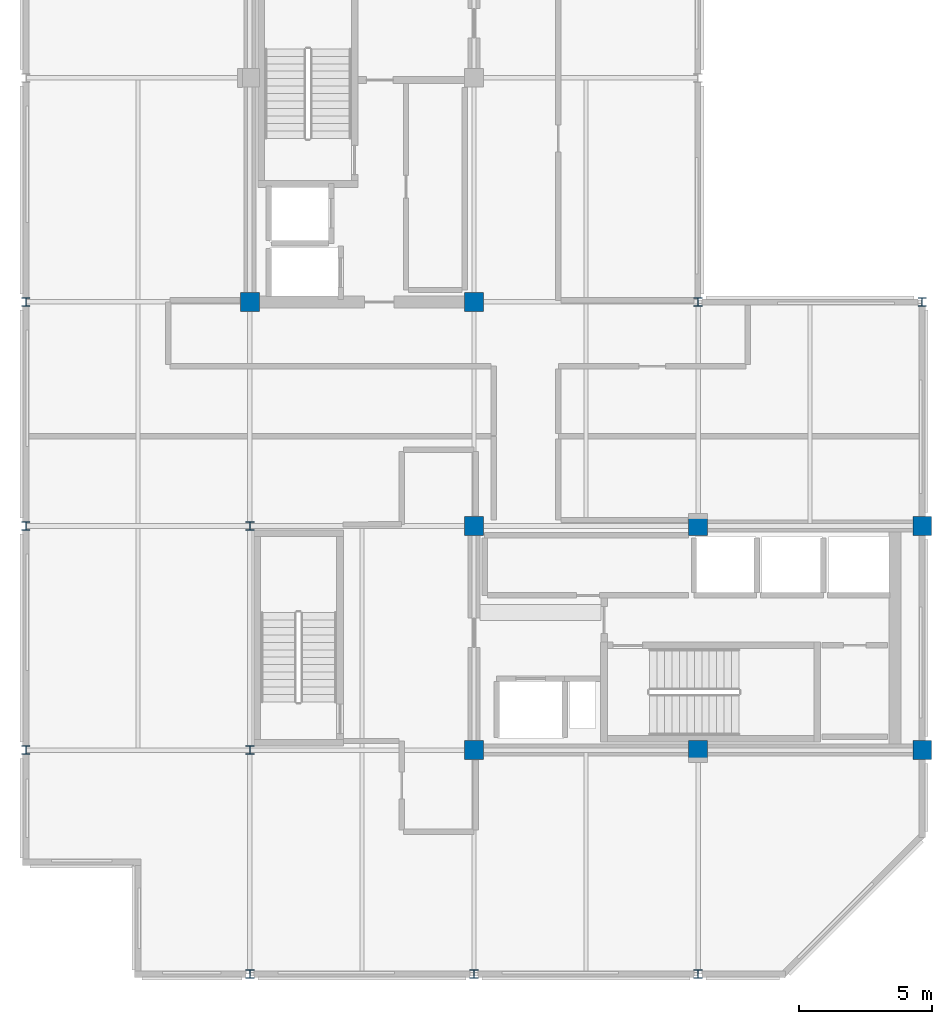
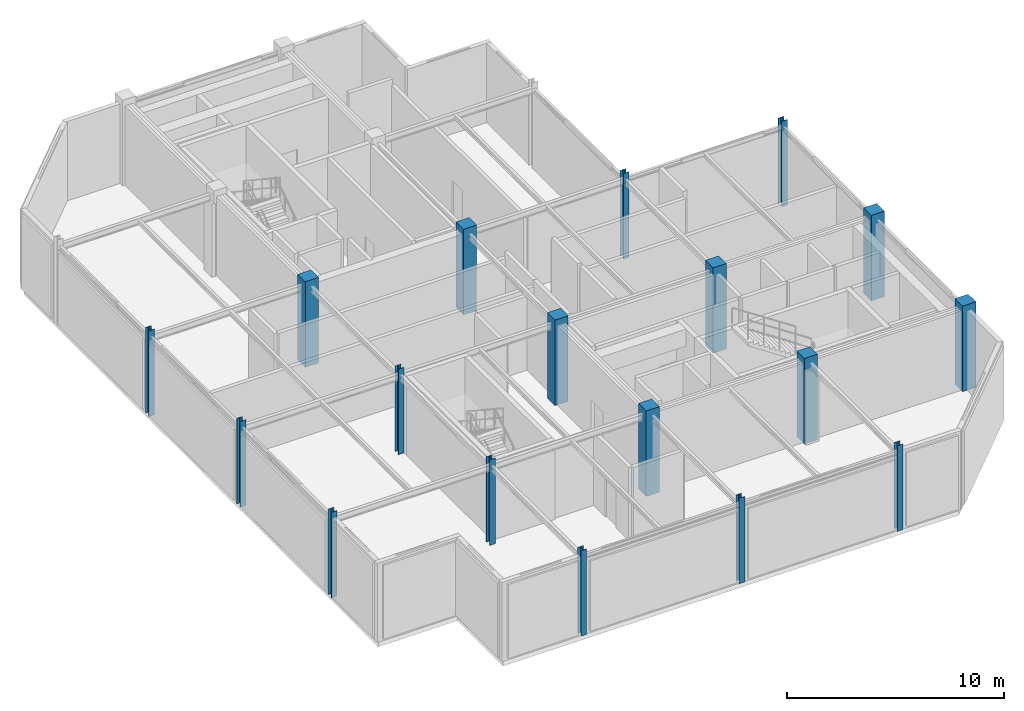
# One storey, part 1 of 9: 18 columns.
"""IFC4 building model written with IfcOpenShell, lengths in metres."""

from ifc_helpers import new_model, si_unit, direction, frame, origin, origin_2d, place, context, subcontext, project, spatial, rectangle, i_section, extrude, material, material_profile, profile_set, type_object, element, save


model = new_model("IFC4")

# Units and contexts
model_context = context("Model", 3, precision=1e-05, world=origin(), true_north=direction((0.0, 1.0)))
body_context = subcontext(model_context, "Body", "Model", "MODEL_VIEW")
ifc_project = project(units=[si_unit("LENGTHUNIT", "METRE"), si_unit("AREAUNIT", "SQUARE_METRE"), si_unit("VOLUMEUNIT", "CUBIC_METRE"), si_unit("PLANEANGLEUNIT", "RADIAN"), si_unit("MASSUNIT", "GRAM", prefix="KILO")], contexts=[model_context])

# Site, building, storey
site_placement = place(None, origin())
site = spatial("IfcSite", under=ifc_project, at=site_placement, CompositionType="ELEMENT")
building_placement = place(site_placement, origin())
building = spatial("IfcBuilding", under=site, at=building_placement, Name="Nerrivon Quay Data Exchange", CompositionType="ELEMENT")
storey_placement = place(building_placement, frame((0.0, 0.0, 322.199951171875)))
storey = spatial("IfcBuildingStorey", under=building, at=storey_placement, Name="L77", CompositionType="ELEMENT", Elevation=322.199951171875)

# Columns
ifc_material_1 = material(Name="Concrete N50 (50 MPa)", Category="concrete")
ifc_material_profile_1 = material_profile(ifc_material_1, rectangle(XDim=0.699951171875, YDim=0.699951171875, at=origin_2d()), Name="RC-COL-700x700")
ifc_profile_set_1 = profile_set([ifc_material_profile_1], Name="Concrete N50 (50 MPa)")
column_type_1 = type_object("IfcColumnType", Name="COL-C6-700", PredefinedType="COLUMN", material=ifc_profile_set_1)
for number, where, z_axis, x_axis, name in (
    (1, (8.39990234375, 25.199951171875, 0.0), (0.0, 0.0, 1.0), (1.0, 0.0, 0.0), "L77 Column (8.4,25.2)"),
    (2, (16.800048828125, 8.39990234375, 0.0), (0.0, 0.0, 1.0), (1.0, 0.0, 0.0), "L77 Column (16.8,8.4)"),
    (3, (16.800048828125, 16.800048828125, 0.0), (0.0, 0.0, 1.0), (1.0, 0.0, 0.0), "L77 Column (16.8,16.8)"),
    (4, (16.800048828125, 25.199951171875, 0.0), (0.0, 0.0, 1.0), (1.0, 0.0, 0.0), "L77 Column (16.8,25.2)"),
    (5, (25.199951171875, 8.39990234375, 0.0), (0.0, 0.0, 1.0), (1.0, 0.0, 0.0), "L77 Column (25.2,8.4)"),
    (6, (25.199951171875, 16.800048828125, 0.0), (0.0, 0.0, 1.0), (1.0, 0.0, 0.0), "L77 Column (25.2,16.8)"),
    (7, (33.60009765625, 8.39990234375, 0.0), (0.0, 0.0, 1.0), (1.0, 0.0, 0.0), "L77 Column (33.6,8.4)"),
    (8, (33.60009765625, 16.800048828125, 0.0), (0.0, 0.0, 1.0), (1.0, 0.0, 0.0), "L77 Column (33.6,16.8)"),
):
    element("IfcColumn", number, at=place(storey_placement, frame(where, z_axis=z_axis, x_axis=x_axis)), inside=storey, type_object=column_type_1, Name=name, PredefinedType="COLUMN", context=body_context, shape_type="SweptSolid", body=[
        extrude(rectangle(XDim=0.699951171875, YDim=0.699951171875, at=origin_2d()), origin(), (0.0, 0.0, 1.0), 4.800048828125),
    ])
ifc_material_2 = material(Name="Steel Grade 350", Category="steel")
ifc_material_profile_2 = material_profile(ifc_material_2, i_section(OverallWidth=0.306884765625, OverallDepth=0.31494140625, WebThickness=0.011962890625, FlangeThickness=0.018798828125, FilletRadius=0.0166015625, at=origin_2d()), Name="310UC118")
ifc_profile_set_2 = profile_set([ifc_material_profile_2], Name="Steel Grade 350")
column_type_2 = type_object("IfcColumnType", Name="COL-SC5-310UC118", PredefinedType="COLUMN", material=ifc_profile_set_2)
for number, where, z_axis, x_axis, name in (
    (9, (0.0, 8.39990234375, 0.0), (0.0, 0.0, 1.0), (1.0, 0.0, 0.0), "L77 Column (0.0,8.4)"),
    (10, (0.0, 16.800048828125, 0.0), (0.0, 0.0, 1.0), (1.0, 0.0, 0.0), "L77 Column (0.0,16.8)"),
    (11, (0.0, 25.199951171875, 0.0), (0.0, 0.0, 1.0), (1.0, 0.0, 0.0), "L77 Column (0.0,25.2)"),
    (12, (8.39990234375, 0.0, 0.0), (0.0, 0.0, 1.0), (1.0, 0.0, 0.0), "L77 Column (8.4,0.0)"),
    (13, (8.39990234375, 8.39990234375, 0.0), (0.0, 0.0, 1.0), (1.0, 0.0, 0.0), "L77 Column (8.4,8.4)"),
    (14, (8.39990234375, 16.800048828125, 0.0), (0.0, 0.0, 1.0), (1.0, 0.0, 0.0), "L77 Column (8.4,16.8)"),
    (15, (16.800048828125, 0.0, 0.0), (0.0, 0.0, 1.0), (1.0, 0.0, 0.0), "L77 Column (16.8,0.0)"),
    (16, (25.199951171875, 0.0, 0.0), (0.0, 0.0, 1.0), (1.0, 0.0, 0.0), "L77 Column (25.2,0.0)"),
    (17, (25.199951171875, 25.199951171875, 0.0), (0.0, 0.0, 1.0), (1.0, 0.0, 0.0), "L77 Column (25.2,25.2)"),
    (18, (33.60009765625, 25.199951171875, 0.0), (0.0, 0.0, 1.0), (1.0, 0.0, 0.0), "L77 Column (33.6,25.2)"),
):
    element("IfcColumn", number, at=place(storey_placement, frame(where, z_axis=z_axis, x_axis=x_axis)), inside=storey, type_object=column_type_2, Name=name, PredefinedType="COLUMN", context=body_context, shape_type="SweptSolid", body=[
        extrude(i_section(OverallWidth=0.306884765625, OverallDepth=0.31494140625, WebThickness=0.011962890625, FlangeThickness=0.018798828125, FilletRadius=0.0166015625, at=origin_2d()), origin(), (0.0, 0.0, 1.0), 4.800048828125),
    ])

save(model, "model.ifc")
